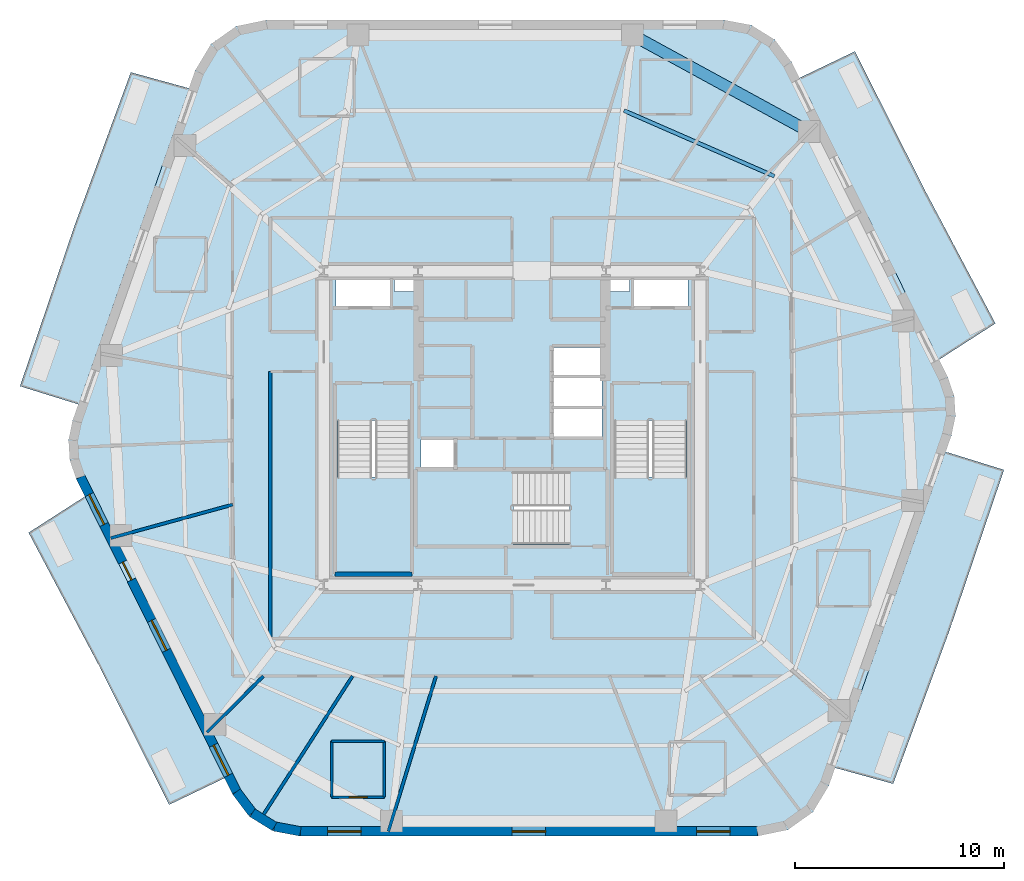
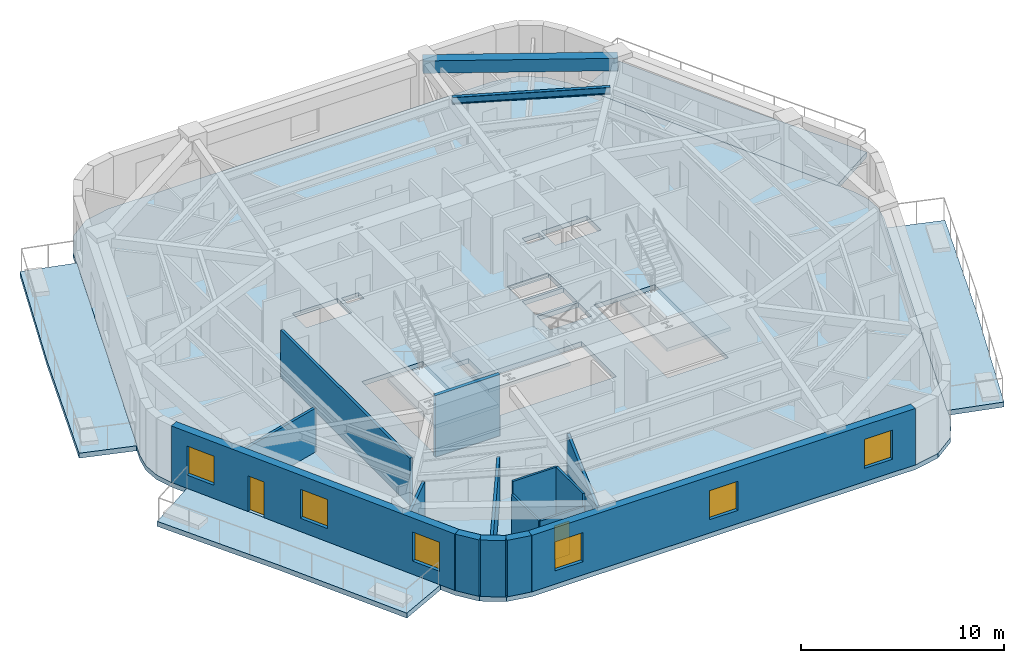
# One storey, part 2 of 10: 15 walls, 8 slabs, 6 windows, 2 beams, 2 doors, 8 openings, 3 elements without a shape of their own.
"""IFC4 building model written with IfcOpenShell, lengths in metres."""

from ifc_helpers import new_model, si_unit, direction, frame, frame_2d, origin, origin_2d, place, context, subcontext, project, spatial, polyline, rectangle, i_section, outline, extrude, material, layer, layer_set, material_profile, profile_set, type_object, element, fill, aggregate, save


model = new_model("IFC4")

# Units and contexts
model_context = context("Model", 3, precision=1e-05, world=origin(), true_north=direction((0.0, 1.0)))
body_context = subcontext(model_context, "Body", "Model", "MODEL_VIEW")
ifc_project = project(units=[si_unit("LENGTHUNIT", "METRE"), si_unit("AREAUNIT", "SQUARE_METRE"), si_unit("VOLUMEUNIT", "CUBIC_METRE"), si_unit("PLANEANGLEUNIT", "RADIAN"), si_unit("MASSUNIT", "GRAM", prefix="KILO")], contexts=[model_context])

# Site, building, storey
site_placement = place(None, origin())
site = spatial("IfcSite", under=ifc_project, at=site_placement, CompositionType="ELEMENT")
building_placement = place(site_placement, origin())
building = spatial("IfcBuilding", under=site, at=building_placement, Name="Kilnhurst Terrace Hotel", CompositionType="ELEMENT")
storey_placement = place(building_placement, frame((0.0, 0.0, 144.300048828125)))
storey = spatial("IfcBuildingStorey", under=building, at=storey_placement, Name="L35", CompositionType="ELEMENT", Elevation=144.300048828125)

# Beams
ifc_material_1 = material(Name="Concrete C50/60", Category="concrete")
ifc_material_profile_1 = material_profile(ifc_material_1, rectangle(XDim=0.550048828125, YDim=0.75, at=origin_2d()), Name="RC550X750")
ifc_profile_set_1 = profile_set([ifc_material_profile_1], Name="Concrete C50/60")
beam_type_1 = type_object("IfcBeamType", Name="BM-SPN-550X750", PredefinedType="SPANDREL", material=ifc_profile_set_1)
beam_1_placement = place(storey_placement, frame((14.2041015625, 14.166015625, 3.02490234375), z_axis=(-0.87766189723, 0.479280287672, 0.0), x_axis=(-0.479280287672, -0.87766189723, 0.0)))
element("IfcBeam", 1, at=beam_1_placement, inside=storey, type_object=beam_type_1, Name="L35 Perimeter Spandrel Beam 6", PredefinedType="SPANDREL", context=body_context, shape_type="SweptSolid", body=[
    extrude(rectangle(XDim=0.550048828125, YDim=0.75, at=origin_2d()), origin(), (0.0, 0.0, 1.0), 9.626953125),
])
ifc_material_2 = material(Name="Steel ASTM A992 Grade 50", Category="steel")
ifc_material_profile_2 = material_profile(ifc_material_2, i_section(OverallWidth=0.180908203125, OverallDepth=0.417236328125, WebThickness=0.010986328125, FlangeThickness=0.018310546875, at=origin_2d()), Name="W16X57")
ifc_profile_set_2 = profile_set([ifc_material_profile_2], Name="Steel ASTM A992 Grade 50")
beam_type_2 = type_object("IfcBeamType", Name="JST-STL-W16X57", PredefinedType="JOIST", material=ifc_profile_set_2)
beam_2_placement = place(storey_placement, frame((12.538818359375, 12.032958984375, 3.19091796875), z_axis=(-0.916443679054, 0.400163695407, 0.0), x_axis=(-0.400163695407, -0.916443679054, 0.0)))
element("IfcBeam", 2, at=beam_2_placement, inside=storey, type_object=beam_type_2, Name="L35 Secondary Floor Steel Joist OUT.6", PredefinedType="JOIST", context=body_context, shape_type="SweptSolid", body=[
    extrude(i_section(OverallWidth=0.180908203125, OverallDepth=0.417236328125, WebThickness=0.010986328125, FlangeThickness=0.018310546875, at=origin_2d()), origin(), (0.0, 0.0, 1.0), 7.84033203125),
])

# Slabs
ifc_layer_1 = layer(ifc_material_1, 0.300048828125, Name="Concrete C50/60")
ifc_layer_set_1 = layer_set([ifc_layer_1], Name="Concrete C50/60")
slab_type_1 = type_object("IfcSlabType", Name="SLB-BAL-300", PredefinedType="FLOOR", material=ifc_layer_set_1)
slab_1_placement = place(storey_placement, frame((0.0, 0.0, -0.300048828125)))
element("IfcSlab", 3, at=slab_1_placement, inside=storey, type_object=slab_type_1, Name="L35 Cantilevered Planted Terrace Slab BAL-L1A", PredefinedType="FLOOR", context=body_context, shape_type="SweptSolid", body=[
    extrude(outline(polyline([(20.892333984375, -9.7119140625), (18.216064453125, -17.0), (15.420654296875, -16.2314453125), (20.708251953125, -1.128662109375), (23.511962890625, -2.0), (20.892333984375, -9.7119140625)])), origin(), (0.0, 0.0, 1.0), 0.300048828125),
])
slab_2_placement = place(storey_placement, frame((0.0, 0.0, -0.300048828125)))
element("IfcSlab", 4, at=slab_2_placement, inside=storey, type_object=slab_type_1, Name="L35 Cantilevered Planted Terrace Slab BAL-L1B", PredefinedType="FLOOR", context=body_context, shape_type="SweptSolid", body=[
    extrude(outline(polyline([(23.100830078125, 5.0), (20.393310546875, 3.25927734375), (13.718505859375, 16.72021484375), (16.384033203125, 18.0), (19.769287109375, 11.293212890625), (23.100830078125, 5.0)])), origin(), (0.0, 0.0, 1.0), 0.300048828125),
])
slab_3_placement = place(storey_placement, frame((0.0, 0.0, -0.300048828125)))
element("IfcSlab", 5, at=slab_3_placement, inside=storey, type_object=slab_type_1, Name="L35 Cantilevered Planted Terrace Slab BAL-L2A", PredefinedType="FLOOR", context=body_context, shape_type="SweptSolid", body=[
    extrude(outline(polyline([(-18.216064453125, 17.0), (-15.420654296875, 16.2314453125), (-20.708251953125, 1.128662109375), (-23.511962890625, 2.0), (-20.892333984375, 9.7119140625), (-18.216064453125, 17.0)])), origin(), (0.0, 0.0, 1.0), 0.300048828125),
])
slab_4_placement = place(storey_placement, frame((0.0, 0.0, -0.300048828125)))
element("IfcSlab", 6, at=slab_4_placement, inside=storey, type_object=slab_type_1, Name="L35 Cantilevered Planted Terrace Slab BAL-L2B", PredefinedType="FLOOR", context=body_context, shape_type="SweptSolid", body=[
    extrude(outline(polyline([(-23.100830078125, -5.0), (-20.393310546875, -3.25927734375), (-13.718505859375, -16.72021484375), (-16.384033203125, -18.0), (-19.769287109375, -11.293212890625), (-23.100830078125, -5.0)])), origin(), (0.0, 0.0, 1.0), 0.300048828125),
])
ifc_layer_2 = layer(ifc_material_1, 0.280029296875, Name="Concrete C50/60")
ifc_layer_set_2 = layer_set([ifc_layer_2], Name="Concrete C50/60")
slab_type_2 = type_object("IfcSlabType", Name="SLB-FLR-280", PredefinedType="FLOOR", material=ifc_layer_set_2)
slab_5_placement = place(storey_placement, frame((0.0, 0.0, -0.280029296875)))
element("IfcSlab", 7, at=slab_5_placement, inside=storey, type_object=slab_type_2, Name="L35 Structural Floor Slab", PredefinedType="FLOOR", context=body_context, shape_type="SweptSolid", body=[
    extrude(outline(polyline([(-13.3544921875, -17.499267578125), (-12.5576171875, -18.5576171875), (-11.431640625, -19.256103515625), (-10.12939453125, -19.5), (11.74365234375, -19.5), (13.18310546875, -19.19970703125), (14.38232421875, -18.348876953125), (15.141357421875, -17.089599609375), (20.9990234375, -0.3583984375), (21.192138671875, 0.57568359375), (21.13330078125, 1.527587890625), (20.82666015625, 2.4306640625), (13.3544921875, 17.499267578125), (12.5576171875, 18.5576171875), (11.431640625, 19.256103515625), (10.12939453125, 19.5), (-11.74365234375, 19.5), (-13.18310546875, 19.19970703125), (-14.38232421875, 18.348876953125), (-15.141357421875, 17.089599609375), (-20.9990234375, 0.3583984375), (-21.192138671875, -0.57568359375), (-21.13330078125, -1.527587890625), (-20.82666015625, -2.4306640625), (-13.3544921875, -17.499267578125)]), holes=[polyline([(2.7548828125, -2.080078125), (2.7548828125, -5.550048828125), (-4.5, -5.550048828125), (-4.5, -2.080078125), (2.7548828125, -2.080078125)]), polyline([(-8.35009765625, 0.35498046875), (-4.8798828125, 0.35498046875), (-4.8798828125, -6.89990234375), (-8.35009765625, -6.89990234375), (-8.35009765625, 0.35498046875)]), polyline([(-2.800048828125, -1.89990234375), (-4.35009765625, -1.89990234375), (-4.35009765625, -0.550048828125), (-2.800048828125, -0.550048828125), (-2.800048828125, -1.89990234375)]), polyline([(1.949951171875, -0.429931640625), (1.949951171875, 0.89990234375), (4.300048828125, 0.89990234375), (4.300048828125, -0.429931640625), (1.949951171875, -0.429931640625)]), polyline([(-8.39990234375, 5.75), (-8.39990234375, 7.14990234375), (-5.800048828125, 7.14990234375), (-5.800048828125, 5.75), (-8.39990234375, 5.75)]), polyline([(-4.659912109375, 6.52001953125), (-5.6201171875, 6.52001953125), (-5.6201171875, 7.080078125), (-4.659912109375, 7.080078125), (-4.659912109375, 6.52001953125)]), polyline([(8.35009765625, 0.35498046875), (8.35009765625, -6.89990234375), (4.8798828125, -6.89990234375), (4.8798828125, 0.35498046875), (8.35009765625, 0.35498046875)]), polyline([(1.949951171875, 1.050048828125), (1.949951171875, 2.3798828125), (4.300048828125, 2.3798828125), (4.300048828125, 1.050048828125), (1.949951171875, 1.050048828125)]), polyline([(4.300048828125, 2.530029296875), (1.949951171875, 2.530029296875), (1.949951171875, 3.860107421875), (4.300048828125, 3.860107421875), (4.300048828125, 2.530029296875)]), polyline([(5.800048828125, 5.75), (5.800048828125, 7.14990234375), (8.39990234375, 7.14990234375), (8.39990234375, 5.75), (5.800048828125, 5.75)]), polyline([(4.659912109375, 6.52001953125), (4.659912109375, 7.080078125), (5.6201171875, 7.080078125), (5.6201171875, 6.52001953125), (4.659912109375, 6.52001953125)])]), origin(), (0.0, 0.0, 1.0), 0.280029296875),
])

# Stair, slab
stair_type = type_object("IfcStairType", Name="STR-CORE-1660", PredefinedType="HALF_TURN_STAIR", material=ifc_material_1)
stair_1_placement = place(storey_placement, origin())
stair_1 = element("IfcStair", 8, at=stair_1_placement, inside=storey, type_object=stair_type, Name="L35 ST-1", PredefinedType="HALF_TURN_STAIR")
ifc_layer_3 = layer(ifc_material_1, 0.199951171875, Name="Concrete C50/60")
ifc_layer_set_3 = layer_set([ifc_layer_3], Name="Concrete C50/60")
slab_type_3 = type_object("IfcSlabType", Name="SLB-ST-LND-200", PredefinedType="LANDING", material=ifc_layer_set_3)
slab_6_placement = place(storey_placement, frame((0.0, 0.0, 1.64990234375)))
slab_6 = element("IfcSlab", 9, at=slab_6_placement, type_object=slab_type_3, Name="ST-1 landing 1", PredefinedType="LANDING", context=body_context, shape_type="SweptSolid", body=[
    extrude(outline(polyline([(-8.429931640625, -2.330078125), (-4.800048828125, -2.330078125), (-4.800048828125, -6.97998046875), (-8.429931640625, -6.97998046875), (-8.429931640625, -2.330078125)])), origin(), (0.0, 0.0, 1.0), 0.199951171875),
])
aggregate(stair_1, [slab_6])

stair_2_placement = place(storey_placement, origin())
stair_2 = element("IfcStair", 10, at=stair_2_placement, inside=storey, type_object=stair_type, Name="L35 ST-2", PredefinedType="HALF_TURN_STAIR")
slab_7_placement = place(storey_placement, frame((0.0, 0.0, 1.64990234375)))
slab_7 = element("IfcSlab", 11, at=slab_7_placement, type_object=slab_type_3, Name="ST-2 landing 1", PredefinedType="LANDING", context=body_context, shape_type="SweptSolid", body=[
    extrude(outline(polyline([(4.800048828125, -2.330078125), (8.429931640625, -2.330078125), (8.429931640625, -6.97998046875), (4.800048828125, -6.97998046875), (4.800048828125, -2.330078125)])), origin(), (0.0, 0.0, 1.0), 0.199951171875),
])
aggregate(stair_2, [slab_7])

stair_3_placement = place(storey_placement, origin())
stair_3 = element("IfcStair", 12, at=stair_3_placement, inside=storey, type_object=stair_type, Name="L35 ST-3", PredefinedType="HALF_TURN_STAIR")
slab_8_placement = place(storey_placement, frame((0.0, 0.0, 1.64990234375)))
slab_8 = element("IfcSlab", 13, at=slab_8_placement, type_object=slab_type_3, Name="ST-3 landing 1", PredefinedType="LANDING", context=body_context, shape_type="SweptSolid", body=[
    extrude(outline(polyline([(0.070068359375, -2.0), (0.070068359375, -5.6298828125), (-4.580078125, -5.6298828125), (-4.580078125, -2.0), (0.070068359375, -2.0)])), origin(), (0.0, 0.0, 1.0), 0.199951171875),
])
aggregate(stair_3, [slab_8])

# Walls
ifc_material_3 = material(Name="Precast concrete C40/50", Category="concrete")
ifc_layer_4 = layer(ifc_material_3, 0.449951171875, Name="Precast concrete C40/50")
ifc_layer_set_4 = layer_set([ifc_layer_4], Name="Precast concrete C40/50")
wall_type_1 = type_object("IfcWallType", Name="WL-BRK-450", PredefinedType="SOLIDWALL", material=ifc_layer_set_4)
wall_1_placement = place(storey_placement, frame((-13.162353515625, -17.380615234375, 0.0), z_axis=(0.0, 0.0, 1.0), x_axis=(0.601515770517, -0.798860925205, 0.0)))
element("IfcWall", 14, at=wall_1_placement, inside=storey, type_object=wall_type_1, Name="L35 Rounded Corner Brick Wall C1.1", PredefinedType="SOLIDWALL", context=body_context, shape_type="SweptSolid", body=[
    extrude(rectangle(XDim=1.261962890625, YDim=0.449951171875, at=frame_2d((0.630859375, 0.0))), origin(), (0.0, 0.0, 1.0), 3.39990234375),
])
wall_2_placement = place(storey_placement, frame((-12.4033203125, -18.388671875, 0.0), z_axis=(0.0, 0.0, 1.0), x_axis=(0.849795170926, -0.527113049991, 0.0)))
element("IfcWall", 15, at=wall_2_placement, inside=storey, type_object=wall_type_1, Name="L35 Rounded Corner Brick Wall C1.2", PredefinedType="SOLIDWALL", context=body_context, shape_type="SweptSolid", body=[
    extrude(rectangle(XDim=1.24072265625, YDim=0.449951171875, at=frame_2d((0.620361328125, 0.0))), origin(), (0.0, 0.0, 1.0), 3.39990234375),
])
wall_3_placement = place(storey_placement, frame((-11.348876953125, -19.042724609375, 0.0), z_axis=(0.0, 0.0, 1.0), x_axis=(0.982931267051, -0.183973161772, 0.0)))
element("IfcWall", 16, at=wall_3_placement, inside=storey, type_object=wall_type_1, Name="L35 Rounded Corner Brick Wall C1.3", PredefinedType="SOLIDWALL", context=body_context, shape_type="SweptSolid", body=[
    extrude(rectangle(XDim=1.261962890625, YDim=0.449951171875, at=frame_2d((0.630859375, 0.0))), origin(), (0.0, 0.0, 1.0), 3.39990234375),
])

# Wall, openings, windows
wall_4_placement = place(storey_placement, frame((-10.1083984375, -19.27490234375, 0.0), z_axis=(0.0, 0.0, 1.0), x_axis=(1.0, 0.0, 0.0)))
wall_4 = element("IfcWall", 17, at=wall_4_placement, inside=storey, type_object=wall_type_1, Name="L35 Exterior Brick Facade Wall F1", PredefinedType="SOLIDWALL", context=body_context, shape_type="SweptSolid", body=[
    extrude(rectangle(XDim=21.828857421875, YDim=0.449951171875, at=frame_2d((10.91455078125, 0.0))), origin(), (0.0, 0.0, 1.0), 3.39990234375),
])
opening_1_placement = place(wall_4_placement, frame((1.297119140625, 0.0, 0.800048828125)))
opening_1 = element("IfcOpeningElement", 18, at=opening_1_placement, cuts=wall_4, Name="Opening W-05", PredefinedType="OPENING", context=body_context, shape_type="SweptSolid", body=[
    extrude(rectangle(XDim=1.60009765625, YDim=1.75, at=frame_2d((0.800048828125, 0.875))), frame((0.0, 0.23486328125, 0.0), z_axis=(0.0, -1.0, 0.0), x_axis=(1.0, 0.0, 0.0)), (0.0, 0.0, 1.0), 0.469970703125),
])
opening_2_placement = place(wall_4_placement, frame((10.114990234375, 0.0, 0.800048828125)))
opening_2 = element("IfcOpeningElement", 19, at=opening_2_placement, cuts=wall_4, Name="Opening W-05", PredefinedType="OPENING", context=body_context, shape_type="SweptSolid", body=[
    extrude(rectangle(XDim=1.60009765625, YDim=1.75, at=frame_2d((0.800048828125, 0.875))), frame((0.0, 0.23486328125, 0.0), z_axis=(0.0, -1.0, 0.0), x_axis=(1.0, 0.0, 0.0)), (0.0, 0.0, 1.0), 0.469970703125),
])
opening_3_placement = place(wall_4_placement, frame((18.93310546875, 0.0, 0.800048828125)))
opening_3 = element("IfcOpeningElement", 20, at=opening_3_placement, cuts=wall_4, Name="Opening W-05", PredefinedType="OPENING", context=body_context, shape_type="SweptSolid", body=[
    extrude(rectangle(XDim=1.60009765625, YDim=1.75, at=frame_2d((0.800048828125, 0.875))), frame((0.0, 0.23486328125, 0.0), z_axis=(0.0, -1.0, 0.0), x_axis=(1.0, 0.0, 0.0)), (0.0, 0.0, 1.0), 0.469970703125),
])
ifc_material_4 = material(Name="Thermally Broken Bronze Aluminium Alloy 6063-T6 and Low-E Glass", Category="aluminium")
window_type = type_object("IfcWindowType", Name="WIN-1600X1750", PartitioningType="SINGLE_PANEL", PredefinedType="WINDOW", material=ifc_material_4)
window_1_placement = place(opening_1_placement, origin())
window_1 = element("IfcWindow", 21, at=window_1_placement, inside=storey, type_object=window_type, Name="L35 Deep-Set Masonry Window F1.1", OverallHeight=1.75, OverallWidth=1.60009765625, PartitioningType="SINGLE_PANEL", PredefinedType="WINDOW", context=body_context, shape_type="SweptSolid", body=[
    extrude(rectangle(XDim=1.60009765625, YDim=1.75, at=frame_2d((0.800048828125, 0.875))), frame((0.0, 0.030029296875, 0.0), z_axis=(0.0, -1.0, 0.0), x_axis=(1.0, 0.0, 0.0)), (0.0, 0.0, 1.0), 0.06005859375),
])
fill(opening_1, window_1)
window_2_placement = place(opening_2_placement, origin())
window_2 = element("IfcWindow", 22, at=window_2_placement, inside=storey, type_object=window_type, Name="L35 Deep-Set Masonry Window F1.2", OverallHeight=1.75, OverallWidth=1.60009765625, PartitioningType="SINGLE_PANEL", PredefinedType="WINDOW", context=body_context, shape_type="SweptSolid", body=[
    extrude(rectangle(XDim=1.60009765625, YDim=1.75, at=frame_2d((0.800048828125, 0.875))), frame((0.0, 0.030029296875, 0.0), z_axis=(0.0, -1.0, 0.0), x_axis=(1.0, 0.0, 0.0)), (0.0, 0.0, 1.0), 0.06005859375),
])
fill(opening_2, window_2)
window_3_placement = place(opening_3_placement, origin())
window_3 = element("IfcWindow", 23, at=window_3_placement, inside=storey, type_object=window_type, Name="L35 Deep-Set Masonry Window F1.3", OverallHeight=1.75, OverallWidth=1.60009765625, PartitioningType="SINGLE_PANEL", PredefinedType="WINDOW", context=body_context, shape_type="SweptSolid", body=[
    extrude(rectangle(XDim=1.60009765625, YDim=1.75, at=frame_2d((0.800048828125, 0.875))), frame((0.0, 0.030029296875, 0.0), z_axis=(0.0, -1.0, 0.0), x_axis=(1.0, 0.0, 0.0)), (0.0, 0.0, 1.0), 0.06005859375),
])
fill(opening_3, window_3)

# Wall, openings, door, windows
wall_5_placement = place(storey_placement, frame((-20.618408203125, -2.343994140625, 0.0), z_axis=(0.0, 0.0, 1.0), x_axis=(0.444243691097, -0.895905990002, 0.0)))
wall_5 = element("IfcWall", 24, at=wall_5_placement, inside=storey, type_object=wall_type_1, Name="L35 Exterior Brick Facade Wall F6", PredefinedType="SOLIDWALL", context=body_context, shape_type="SweptSolid", body=[
    extrude(rectangle(XDim=16.78369140625, YDim=0.449951171875, at=frame_2d((8.391845703125, 0.0))), origin(), (0.0, 0.0, 1.0), 3.39990234375),
])
opening_4_placement = place(wall_5_placement, frame((4.534912109375, 0.0, 0.0)))
opening_4 = element("IfcOpeningElement", 25, at=opening_4_placement, cuts=wall_5, Name="Opening BD-950", PredefinedType="OPENING", context=body_context, shape_type="SweptSolid", body=[
    extrude(rectangle(XDim=0.949951171875, YDim=2.14990234375, at=frame_2d((0.47509765625, 1.074951171875))), frame((0.0, 0.23486328125, 0.0), z_axis=(0.0, -1.0, 0.0), x_axis=(1.0, 0.0, 0.0)), (0.0, 0.0, 1.0), 0.469970703125),
])
opening_5_placement = place(wall_5_placement, frame((0.930908203125, 0.0, 0.800048828125)))
opening_5 = element("IfcOpeningElement", 26, at=opening_5_placement, cuts=wall_5, Name="Opening W-05", PredefinedType="OPENING", context=body_context, shape_type="SweptSolid", body=[
    extrude(rectangle(XDim=1.60009765625, YDim=1.75, at=frame_2d((0.800048828125, 0.875))), frame((0.0, 0.23486328125, 0.0), z_axis=(0.0, -1.0, 0.0), x_axis=(1.0, 0.0, 0.0)), (0.0, 0.0, 1.0), 0.469970703125),
])
opening_6_placement = place(wall_5_placement, frame((7.64208984375, 0.0, 0.800048828125)))
opening_6 = element("IfcOpeningElement", 27, at=opening_6_placement, cuts=wall_5, Name="Opening W-05", PredefinedType="OPENING", context=body_context, shape_type="SweptSolid", body=[
    extrude(rectangle(XDim=1.60009765625, YDim=1.75, at=frame_2d((0.800048828125, 0.875))), frame((0.0, 0.23486328125, 0.0), z_axis=(0.0, -1.0, 0.0), x_axis=(1.0, 0.0, 0.0)), (0.0, 0.0, 1.0), 0.469970703125),
])
opening_7_placement = place(wall_5_placement, frame((14.302978515625, 0.0, 0.800048828125)))
opening_7 = element("IfcOpeningElement", 28, at=opening_7_placement, cuts=wall_5, Name="Opening W-05", PredefinedType="OPENING", context=body_context, shape_type="SweptSolid", body=[
    extrude(rectangle(XDim=1.60009765625, YDim=1.75, at=frame_2d((0.800048828125, 0.875))), frame((0.0, 0.23486328125, 0.0), z_axis=(0.0, -1.0, 0.0), x_axis=(1.0, 0.0, 0.0)), (0.0, 0.0, 1.0), 0.469970703125),
])
ifc_material_5 = material(Name="Thermally Broken Bronze Aluminium Alloy 6063-T6 and Laminated Glass", Category="aluminium")
door_type_1 = type_object("IfcDoorType", Name="DR-EXT-BAL-950", OperationType="NOTDEFINED", PredefinedType="DOOR", material=ifc_material_5)
door_1_placement = place(opening_4_placement, origin())
door_1 = element("IfcDoor", 29, at=door_1_placement, inside=storey, type_object=door_type_1, Name="L35 Planted Balcony Door BAL-L2B", OperationType="SINGLE_SWING_RIGHT", OverallHeight=2.14990234375, OverallWidth=0.949951171875, PredefinedType="DOOR", context=body_context, shape_type="SweptSolid", body=[
    extrude(rectangle(XDim=0.949951171875, YDim=2.14990234375, at=frame_2d((0.47509765625, 1.074951171875))), frame((0.0, 0.02490234375, 0.0), z_axis=(0.0, -1.0, 0.0), x_axis=(1.0, 0.0, 0.0)), (0.0, 0.0, 1.0), 0.050048828125),
])
fill(opening_4, door_1)
window_4_placement = place(opening_5_placement, origin())
window_4 = element("IfcWindow", 30, at=window_4_placement, inside=storey, type_object=window_type, Name="L35 Deep-Set Masonry Window F6.1", OverallHeight=1.75, OverallWidth=1.60009765625, PartitioningType="SINGLE_PANEL", PredefinedType="WINDOW", context=body_context, shape_type="SweptSolid", body=[
    extrude(rectangle(XDim=1.60009765625, YDim=1.75, at=frame_2d((0.800048828125, 0.875))), frame((0.0, 0.030029296875, 0.0), z_axis=(0.0, -1.0, 0.0), x_axis=(1.0, 0.0, 0.0)), (0.0, 0.0, 1.0), 0.06005859375),
])
fill(opening_5, window_4)
window_5_placement = place(opening_6_placement, origin())
window_5 = element("IfcWindow", 31, at=window_5_placement, inside=storey, type_object=window_type, Name="L35 Deep-Set Masonry Window F6.2", OverallHeight=1.75, OverallWidth=1.60009765625, PartitioningType="SINGLE_PANEL", PredefinedType="WINDOW", context=body_context, shape_type="SweptSolid", body=[
    extrude(rectangle(XDim=1.60009765625, YDim=1.75, at=frame_2d((0.800048828125, 0.875))), frame((0.0, 0.030029296875, 0.0), z_axis=(0.0, -1.0, 0.0), x_axis=(1.0, 0.0, 0.0)), (0.0, 0.0, 1.0), 0.06005859375),
])
fill(opening_6, window_5)
window_6_placement = place(opening_7_placement, origin())
window_6 = element("IfcWindow", 32, at=window_6_placement, inside=storey, type_object=window_type, Name="L35 Deep-Set Masonry Window F6.3", OverallHeight=1.75, OverallWidth=1.60009765625, PartitioningType="SINGLE_PANEL", PredefinedType="WINDOW", context=body_context, shape_type="SweptSolid", body=[
    extrude(rectangle(XDim=1.60009765625, YDim=1.75, at=frame_2d((0.800048828125, 0.875))), frame((0.0, 0.030029296875, 0.0), z_axis=(0.0, -1.0, 0.0), x_axis=(1.0, 0.0, 0.0)), (0.0, 0.0, 1.0), 0.06005859375),
])
fill(opening_7, window_6)

# Walls
ifc_material_6 = material(Name="Acoustic Double-Gypsum Corridor Partition Assembly")
ifc_layer_5 = layer(ifc_material_6, 0.14990234375, Name="Acoustic Double-Gypsum Corridor Partition Assembly")
ifc_layer_set_5 = layer_set([ifc_layer_5], Name="Acoustic Double-Gypsum Corridor Partition Assembly")
wall_type_2 = type_object("IfcWallType", Name="WL-COR-150", PredefinedType="PARTITIONING", material=ifc_layer_set_5)
wall_6_placement = place(storey_placement, frame((-11.550048828125, 2.699951171875, 0.0), z_axis=(0.0, 0.0, 1.0), x_axis=(0.0, -1.0, 0.0)))
element("IfcWall", 33, at=wall_6_placement, inside=storey, type_object=wall_type_2, Name="L35 Interior Wall WL-L35-COR-16", PredefinedType="PARTITIONING", context=body_context, shape_type="SweptSolid", body=[
    extrude(rectangle(XDim=12.75, YDim=0.14990234375, at=frame_2d((6.375, 0.0))), origin(), (0.0, 0.0, 1.0), 2.83984375),
])
ifc_material_7 = material(Name="STC-58 Acoustic Twin-Frame Guestroom Demising Partition")
ifc_layer_6 = layer(ifc_material_7, 0.14990234375, Name="STC-58 Acoustic Twin-Frame Guestroom Demising Partition")
ifc_layer_set_6 = layer_set([ifc_layer_6], Name="STC-58 Acoustic Twin-Frame Guestroom Demising Partition")
wall_type_3 = type_object("IfcWallType", Name="WL-DEM-150", PredefinedType="PARTITIONING", material=ifc_layer_set_6)
wall_7_placement = place(storey_placement, frame((-13.35009765625, -3.66064453125, 0.0), z_axis=(0.0, 0.0, 1.0), x_axis=(-0.964397145454, -0.264458211898, 0.0)))
element("IfcWall", 34, at=wall_7_placement, inside=storey, type_object=wall_type_3, Name="L35 Interior Wall WL-L35-DEM-COL07-12-1", PredefinedType="PARTITIONING", context=body_context, shape_type="SweptSolid", body=[
    extrude(rectangle(XDim=6.03857421875, YDim=0.14990234375, at=frame_2d((3.019287109375, 0.0))), origin(), (0.0, 0.0, 1.0), 2.639892578125),
])
wall_8_placement = place(storey_placement, frame((-11.8818359375, -11.85009765625, 0.0), z_axis=(0.0, 0.0, 1.0), x_axis=(-0.708037373639, -0.706174962407, 0.0)))
element("IfcWall", 35, at=wall_8_placement, inside=storey, type_object=wall_type_3, Name="L35 Interior Wall WL-L35-DEM-COL08-13-1", PredefinedType="PARTITIONING", context=body_context, shape_type="SweptSolid", body=[
    extrude(rectangle(XDim=3.801513671875, YDim=0.14990234375, at=frame_2d((1.90087890625, 0.0))), origin(), (0.0, 0.0, 1.0), 2.639892578125),
])
wall_9_placement = place(storey_placement, frame((-7.619140625, -11.85009765625, 0.0), z_axis=(0.0, 0.0, 1.0), x_axis=(-0.540829263478, -0.841132396098, 0.0)))
element("IfcWall", 36, at=wall_9_placement, inside=storey, type_object=wall_type_3, Name="L35 Interior Wall WL-L35-DEM-MID08-14-1", PredefinedType="PARTITIONING", context=body_context, shape_type="SweptSolid", body=[
    extrude(rectangle(XDim=7.919189453125, YDim=0.14990234375, at=frame_2d((3.95947265625, 0.0))), origin(), (0.0, 0.0, 1.0), 2.639892578125),
])
wall_10_placement = place(storey_placement, frame((-3.63134765625, -11.85009765625, 0.0), z_axis=(0.0, 0.0, 1.0), x_axis=(-0.293007573338, -0.956110120209, 0.0)))
element("IfcWall", 37, at=wall_10_placement, inside=storey, type_object=wall_type_3, Name="L35 Interior Wall WL-L35-DEM-COL09-15-1", PredefinedType="PARTITIONING", context=body_context, shape_type="SweptSolid", body=[
    extrude(rectangle(XDim=7.765625, YDim=0.14990234375, at=frame_2d((3.8828125, 0.0))), origin(), (0.0, 0.0, 1.0), 2.639892578125),
])

# Wall, opening, door
ifc_material_8 = material(Name="120 mm Moisture-Resistant Tile-Backed Bathroom Partition")
ifc_layer_7 = layer(ifc_material_8, 0.1201171875, Name="120 mm Moisture-Resistant Tile-Backed Bathroom Partition")
ifc_layer_set_7 = layer_set([ifc_layer_7], Name="120 mm Moisture-Resistant Tile-Backed Bathroom Partition")
wall_type_4 = type_object("IfcWallType", Name="WL-PART-120", PredefinedType="PARTITIONING", material=ifc_layer_set_7)
wall_11_placement = place(storey_placement, frame((-8.614013671875, -17.638916015625, 0.0), z_axis=(0.0, 0.0, 1.0), x_axis=(1.0, 0.0, 0.0)))
wall_11 = element("IfcWall", 38, at=wall_11_placement, inside=storey, type_object=wall_type_4, Name="L35 Interior Wall WL-L35-BTH-14-1", PredefinedType="PARTITIONING", context=body_context, shape_type="SweptSolid", body=[
    extrude(rectangle(XDim=2.52001953125, YDim=0.1201171875, at=frame_2d((1.260009765625, 0.0))), origin(), (0.0, 0.0, 1.0), 2.639892578125),
])
opening_8_placement = place(wall_11_placement, frame((0.8349609375, 0.0, 0.0)))
opening_8 = element("IfcOpeningElement", 39, at=opening_8_placement, cuts=wall_11, Name="Opening D-08A", PredefinedType="OPENING", context=body_context, shape_type="SweptSolid", body=[
    extrude(rectangle(XDim=0.85009765625, YDim=2.030029296875, at=frame_2d((0.425048828125, 1.01513671875))), frame((0.0, 0.070068359375, 0.0), z_axis=(0.0, -1.0, 0.0), x_axis=(1.0, 0.0, 0.0)), (0.0, 0.0, 1.0), 0.14013671875),
])
ifc_material_9 = material(Name="Moisture-Resistant Lacquered En-suite Bathroom Door")
door_type_2 = type_object("IfcDoorType", Name="DR-INT-850", OperationType="NOTDEFINED", PredefinedType="DOOR", material=ifc_material_9)
door_2_placement = place(opening_8_placement, origin())
door_2 = element("IfcDoor", 40, at=door_2_placement, inside=storey, type_object=door_type_2, Name="L35 En-suite Bathroom Door 14", OperationType="SINGLE_SWING_LEFT", OverallHeight=2.030029296875, OverallWidth=0.85009765625, PredefinedType="DOOR", context=body_context, shape_type="SweptSolid", body=[
    extrude(rectangle(XDim=0.85009765625, YDim=2.030029296875, at=frame_2d((0.425048828125, 1.01513671875))), frame((0.0, 0.02490234375, 0.0), z_axis=(0.0, -1.0, 0.0), x_axis=(1.0, 0.0, 0.0)), (0.0, 0.0, 1.0), 0.050048828125),
])
fill(opening_8, door_2)

# Walls
wall_12_placement = place(storey_placement, frame((-6.093994140625, -17.638916015625, 0.0), z_axis=(0.0, 0.0, 1.0), x_axis=(0.0, 1.0, 0.0)))
element("IfcWall", 41, at=wall_12_placement, inside=storey, type_object=wall_type_4, Name="L35 Interior Wall WL-L35-BTH-14-2", PredefinedType="PARTITIONING", context=body_context, shape_type="SweptSolid", body=[
    extrude(rectangle(XDim=2.679931640625, YDim=0.1201171875, at=frame_2d((1.33984375, 0.0))), origin(), (0.0, 0.0, 1.0), 3.39990234375),
])
wall_13_placement = place(storey_placement, frame((-6.093994140625, -14.958984375, 0.0), z_axis=(0.0, 0.0, 1.0), x_axis=(-1.0, 0.0, 0.0)))
element("IfcWall", 42, at=wall_13_placement, inside=storey, type_object=wall_type_4, Name="L35 Interior Wall WL-L35-BTH-14-3", PredefinedType="PARTITIONING", context=body_context, shape_type="SweptSolid", body=[
    extrude(rectangle(XDim=2.52001953125, YDim=0.1201171875, at=frame_2d((1.260009765625, 0.0))), origin(), (0.0, 0.0, 1.0), 3.39990234375),
])
wall_14_placement = place(storey_placement, frame((-8.614013671875, -14.958984375, 0.0), z_axis=(0.0, 0.0, 1.0), x_axis=(0.0, -1.0, 0.0)))
element("IfcWall", 43, at=wall_14_placement, inside=storey, type_object=wall_type_4, Name="L35 Interior Wall WL-L35-BTH-14-4", PredefinedType="PARTITIONING", context=body_context, shape_type="SweptSolid", body=[
    extrude(rectangle(XDim=2.679931640625, YDim=0.1201171875, at=frame_2d((1.33984375, 0.0))), origin(), (0.0, 0.0, 1.0), 2.639892578125),
])
ifc_layer_8 = layer(ifc_material_1, 0.199951171875, Name="Concrete C50/60")
ifc_layer_set_8 = layer_set([ifc_layer_8], Name="Concrete C50/60")
wall_type_5 = type_object("IfcWallType", Name="WL-STAIR-RC-200", PredefinedType="SHEAR", material=ifc_layer_set_8)
wall_15_placement = place(storey_placement, frame((-8.4580078125, -6.985107421875, 0.0), z_axis=(0.0, 0.0, 1.0), x_axis=(1.0, 0.0, 0.0)))
element("IfcWall", 44, at=wall_15_placement, inside=storey, type_object=wall_type_5, Name="L35 Structural Stair Shaft Wall WL-L35-ST1-S", PredefinedType="SHEAR", context=body_context, shape_type="SweptSolid", body=[
    extrude(rectangle(XDim=3.68603515625, YDim=0.199951171875, at=frame_2d((1.843017578125, 0.0))), origin(), (0.0, 0.0, 1.0), 3.699951171875),
])

save(model, "model.ifc")
